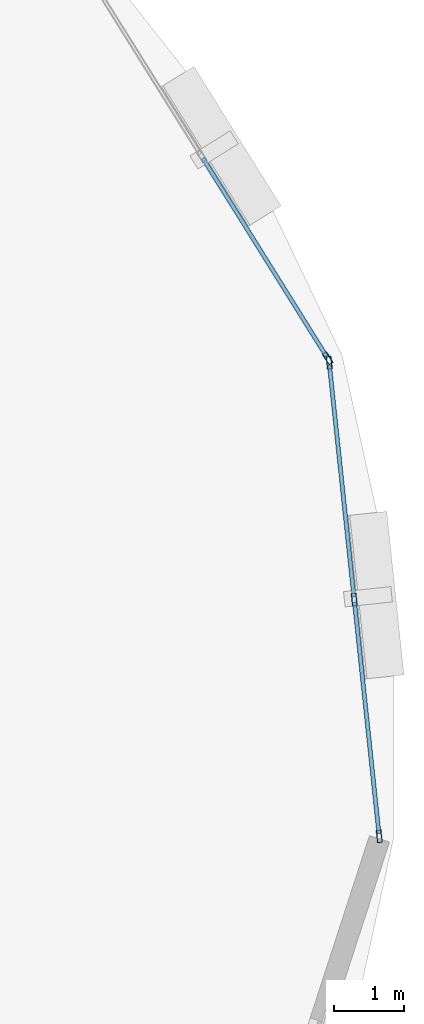
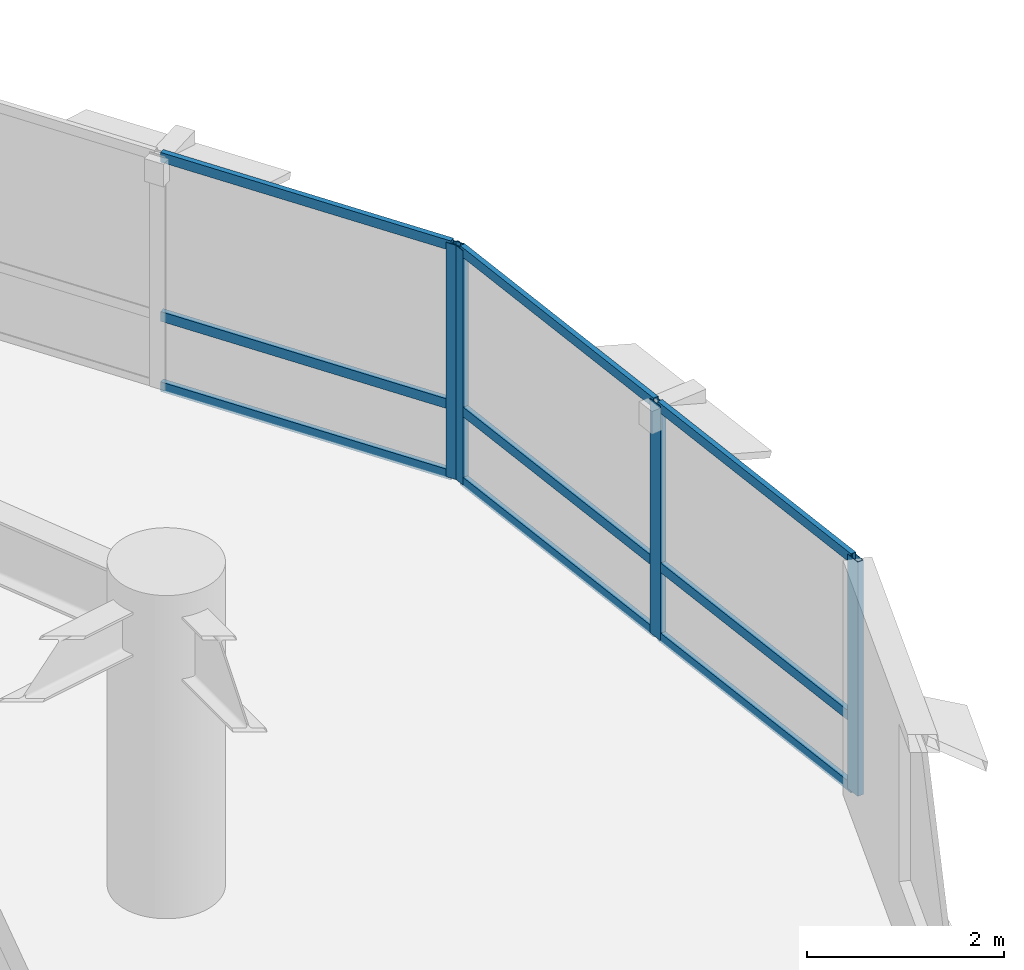
# One storey, part 6 of 15: 13 members, 2 elements without a shape of their own.
"""IFC4 building model written with IfcOpenShell, lengths in metres."""

from ifc_helpers import new_model, si_unit, direction, frame, origin, origin_2d, place, context, subcontext, project, spatial, hollow_rectangle, extrude, material, layer, layer_set, material_profile, profile_set, type_object, element, aggregate, save


model = new_model("IFC4")

# Units and contexts
model_context = context("Model", 3, precision=1e-05, world=origin(), true_north=direction((0.0, 1.0)))
body_context = subcontext(model_context, "Body", "Model", "MODEL_VIEW")
ifc_project = project(units=[si_unit("LENGTHUNIT", "METRE"), si_unit("AREAUNIT", "SQUARE_METRE"), si_unit("VOLUMEUNIT", "CUBIC_METRE"), si_unit("PLANEANGLEUNIT", "RADIAN"), si_unit("MASSUNIT", "GRAM", prefix="KILO"), si_unit("THERMODYNAMICTEMPERATUREUNIT", "KELVIN"), si_unit("POWERUNIT", "WATT")], contexts=[model_context])

# Site, building, storey
site_placement = place(None, origin())
site = spatial("IfcSite", under=ifc_project, at=site_placement, CompositionType="ELEMENT")
building_placement = place(site_placement, origin())
building = spatial("IfcBuilding", under=site, at=building_placement, Name="Ocrelia Relay Tower", CompositionType="ELEMENT")
storey_placement = place(building_placement, frame((0.0, 0.0, 113.800048828125)))
storey = spatial("IfcBuildingStorey", under=building, at=storey_placement, Name="L26", CompositionType="ELEMENT", Elevation=113.800048828125)

# Curtain wall, member
ifc_material_1 = material(Name="Aluminium and solar-control low-E glass", Category="aluminium")
ifc_layer = layer(ifc_material_1, 0.179931640625, Name="Aluminium and solar-control low-E glass")
ifc_layer_set = layer_set([ifc_layer], Name="Aluminium and solar-control low-E glass")
curtain_wall_type = type_object("IfcCurtainWallType", Name="CW-SYS-Z2-SWIT", PredefinedType="NOTDEFINED", material=ifc_layer_set)
curtain_wall_1_placement = place(storey_placement, origin())
curtain_wall_1 = element("IfcCurtainWall", 1, at=curtain_wall_1_placement, inside=storey, type_object=curtain_wall_type, Name="L26 Elliptical Tower Curtain Wall Bay 01", PredefinedType="NOTDEFINED")
ifc_material_2 = material(Name="Anodised bronze aluminium", Category="aluminium")
ifc_material_profile_1 = material_profile(ifc_material_2, hollow_rectangle(XDim=0.070068359375, YDim=0.179931640625, WallThickness=0.006103515625, at=origin_2d()), Name="CW-MUL-180x70")
ifc_profile_set_1 = profile_set([ifc_material_profile_1], Name="Anodised bronze aluminium")
member_type_1 = type_object("IfcMemberType", Name="CW-SYS-Z2-SWIT-MUL", PredefinedType="MULLION", material=ifc_profile_set_1)
member_1_placement = place(storey_placement, frame((58.186767578125, 34.3642578125, 0.0), z_axis=(0.0, 0.0, 1.0), x_axis=(-0.8483297043, -0.529468330311, 0.0)))
member_1 = element("IfcMember", 2, at=member_1_placement, type_object=member_type_1, Name="CW-Z2 mullion 1", PredefinedType="MULLION", context=body_context, shape_type="SweptSolid", body=[
    extrude(hollow_rectangle(XDim=0.070068359375, YDim=0.179931640625, WallThickness=0.006103515625, at=origin_2d()), origin(), (0.0, 0.0, 1.0), 2.89990234375),
])

# Curtain wall, members
curtain_wall_2_placement = place(storey_placement, origin())
curtain_wall_2 = element("IfcCurtainWall", 3, at=curtain_wall_2_placement, inside=storey, type_object=curtain_wall_type, Name="L26 Elliptical Tower Curtain Wall Bay 18", PredefinedType="NOTDEFINED")
member_2_placement = place(storey_placement, frame((58.92431640625, 27.5283203125, 0.0), z_axis=(0.0, 0.0, 1.0), x_axis=(-0.994466113533, -0.105057836614, 0.0)))
member_2 = element("IfcMember", 4, at=member_2_placement, type_object=member_type_1, Name="CW-Z2 mullion 1", PredefinedType="MULLION", context=body_context, shape_type="SweptSolid", body=[
    extrude(hollow_rectangle(XDim=0.070068359375, YDim=0.179931640625, WallThickness=0.006103515625, at=origin_2d()), origin(), (0.0, 0.0, 1.0), 2.89990234375),
])
member_3_placement = place(storey_placement, frame((58.566650390625, 30.9140625, 0.0), z_axis=(0.0, 0.0, 1.0), x_axis=(-0.994466113533, -0.105057836614, 0.0)))
member_3 = element("IfcMember", 5, at=member_3_placement, type_object=member_type_1, Name="CW-Z2 mullion 2", PredefinedType="MULLION", context=body_context, shape_type="SweptSolid", body=[
    extrude(hollow_rectangle(XDim=0.070068359375, YDim=0.179931640625, WallThickness=0.006103515625, at=origin_2d()), origin(), (0.0, 0.0, 1.0), 2.89990234375),
])
member_4_placement = place(storey_placement, frame((58.208984375, 34.2998046875, 0.0), z_axis=(0.0, 0.0, 1.0), x_axis=(-0.994466113533, -0.105057836614, 0.0)))
member_4 = element("IfcMember", 6, at=member_4_placement, type_object=member_type_1, Name="CW-Z2 mullion 3", PredefinedType="MULLION", context=body_context, shape_type="SweptSolid", body=[
    extrude(hollow_rectangle(XDim=0.070068359375, YDim=0.179931640625, WallThickness=0.006103515625, at=origin_2d()), origin(), (0.0, 0.0, 1.0), 2.89990234375),
])

# Member
ifc_material_profile_2 = material_profile(ifc_material_2, hollow_rectangle(XDim=0.06005859375, YDim=0.1201171875, WallThickness=0.0048828125, at=origin_2d()), Name="CW-TRN-120x60")
ifc_profile_set_2 = profile_set([ifc_material_profile_2], Name="Anodised bronze aluminium")
member_type_2 = type_object("IfcMemberType", Name="CW-SYS-Z2-SWIT-TRN", PredefinedType="USERDEFINED", material=ifc_profile_set_2)
member_5_placement = place(storey_placement, frame((58.168212890625, 34.393798828125, 0.030029296875), z_axis=(-0.529478943353, 0.848323080286, 0.0), x_axis=(-0.848323080286, -0.529478943353, 0.0)))
member_5 = element("IfcMember", 7, at=member_5_placement, type_object=member_type_2, Name="CW-Z2 transom 1.1", ObjectType="TRANSOM", PredefinedType="USERDEFINED", context=body_context, shape_type="SweptSolid", body=[
    extrude(hollow_rectangle(XDim=0.06005859375, YDim=0.1201171875, WallThickness=0.0048828125, at=origin_2d()), origin(), (0.0, 0.0, 1.0), 3.334716796875),
])

member_6_placement = place(storey_placement, frame((58.168212890625, 34.393798828125, 0.89990234375), z_axis=(-0.529478943353, 0.848323080286, 0.0), x_axis=(-0.848323080286, -0.529478943353, 0.0)))
member_6 = element("IfcMember", 8, at=member_6_placement, type_object=member_type_2, Name="CW-Z2 transom 1.2", ObjectType="TRANSOM", PredefinedType="USERDEFINED", context=body_context, shape_type="SweptSolid", body=[
    extrude(hollow_rectangle(XDim=0.06005859375, YDim=0.1201171875, WallThickness=0.0048828125, at=origin_2d()), origin(), (0.0, 0.0, 1.0), 3.334716796875),
])

member_7_placement = place(storey_placement, frame((58.168212890625, 34.393798828125, 2.869873046875), z_axis=(-0.529478943353, 0.848323080286, 0.0), x_axis=(-0.848323080286, -0.529478943353, 0.0)))
member_7 = element("IfcMember", 9, at=member_7_placement, type_object=member_type_2, Name="CW-Z2 transom 1.3", ObjectType="TRANSOM", PredefinedType="USERDEFINED", context=body_context, shape_type="SweptSolid", body=[
    extrude(hollow_rectangle(XDim=0.06005859375, YDim=0.1201171875, WallThickness=0.0048828125, at=origin_2d()), origin(), (0.0, 0.0, 1.0), 3.334716796875),
])

aggregate(curtain_wall_1, [member_1, member_5, member_6, member_7])

member_8_placement = place(storey_placement, frame((58.920654296875, 27.563232421875, 0.030029296875), z_axis=(-0.105069729778, 0.994464857038, 0.0), x_axis=(-0.994464857038, -0.105069729778, 0.0)))
member_8 = element("IfcMember", 10, at=member_8_placement, type_object=member_type_2, Name="CW-Z2 transom 1.1", ObjectType="TRANSOM", PredefinedType="USERDEFINED", context=body_context, shape_type="SweptSolid", body=[
    extrude(hollow_rectangle(XDim=0.06005859375, YDim=0.1201171875, WallThickness=0.0048828125, at=origin_2d()), origin(), (0.0, 0.0, 1.0), 3.33447265625),
])

member_9_placement = place(storey_placement, frame((58.920654296875, 27.563232421875, 0.89990234375), z_axis=(-0.105069729778, 0.994464857038, 0.0), x_axis=(-0.994464857038, -0.105069729778, 0.0)))
member_9 = element("IfcMember", 11, at=member_9_placement, type_object=member_type_2, Name="CW-Z2 transom 1.2", ObjectType="TRANSOM", PredefinedType="USERDEFINED", context=body_context, shape_type="SweptSolid", body=[
    extrude(hollow_rectangle(XDim=0.06005859375, YDim=0.1201171875, WallThickness=0.0048828125, at=origin_2d()), origin(), (0.0, 0.0, 1.0), 3.33447265625),
])

member_10_placement = place(storey_placement, frame((58.920654296875, 27.563232421875, 2.869873046875), z_axis=(-0.105069729778, 0.994464857038, 0.0), x_axis=(-0.994464857038, -0.105069729778, 0.0)))
member_10 = element("IfcMember", 12, at=member_10_placement, type_object=member_type_2, Name="CW-Z2 transom 1.3", ObjectType="TRANSOM", PredefinedType="USERDEFINED", context=body_context, shape_type="SweptSolid", body=[
    extrude(hollow_rectangle(XDim=0.06005859375, YDim=0.1201171875, WallThickness=0.0048828125, at=origin_2d()), origin(), (0.0, 0.0, 1.0), 3.33447265625),
])

member_11_placement = place(storey_placement, frame((58.56298828125, 30.94873046875, 0.030029296875), z_axis=(-0.10506207978, 0.994465665266, 0.0), x_axis=(-0.994465665266, -0.10506207978, 0.0)))
member_11 = element("IfcMember", 13, at=member_11_placement, type_object=member_type_2, Name="CW-Z2 transom 2.1", ObjectType="TRANSOM", PredefinedType="USERDEFINED", context=body_context, shape_type="SweptSolid", body=[
    extrude(hollow_rectangle(XDim=0.06005859375, YDim=0.1201171875, WallThickness=0.0048828125, at=origin_2d()), origin(), (0.0, 0.0, 1.0), 3.334716796875),
])

member_12_placement = place(storey_placement, frame((58.56298828125, 30.94873046875, 0.89990234375), z_axis=(-0.10506207978, 0.994465665266, 0.0), x_axis=(-0.994465665266, -0.10506207978, 0.0)))
member_12 = element("IfcMember", 14, at=member_12_placement, type_object=member_type_2, Name="CW-Z2 transom 2.2", ObjectType="TRANSOM", PredefinedType="USERDEFINED", context=body_context, shape_type="SweptSolid", body=[
    extrude(hollow_rectangle(XDim=0.06005859375, YDim=0.1201171875, WallThickness=0.0048828125, at=origin_2d()), origin(), (0.0, 0.0, 1.0), 3.334716796875),
])

member_13_placement = place(storey_placement, frame((58.56298828125, 30.94873046875, 2.869873046875), z_axis=(-0.10506207978, 0.994465665266, 0.0), x_axis=(-0.994465665266, -0.10506207978, 0.0)))
member_13 = element("IfcMember", 15, at=member_13_placement, type_object=member_type_2, Name="CW-Z2 transom 2.3", ObjectType="TRANSOM", PredefinedType="USERDEFINED", context=body_context, shape_type="SweptSolid", body=[
    extrude(hollow_rectangle(XDim=0.06005859375, YDim=0.1201171875, WallThickness=0.0048828125, at=origin_2d()), origin(), (0.0, 0.0, 1.0), 3.334716796875),
])

aggregate(curtain_wall_2, [member_2, member_3, member_4, member_8, member_9, member_10, member_11, member_12, member_13])

save(model, "model.ifc")
